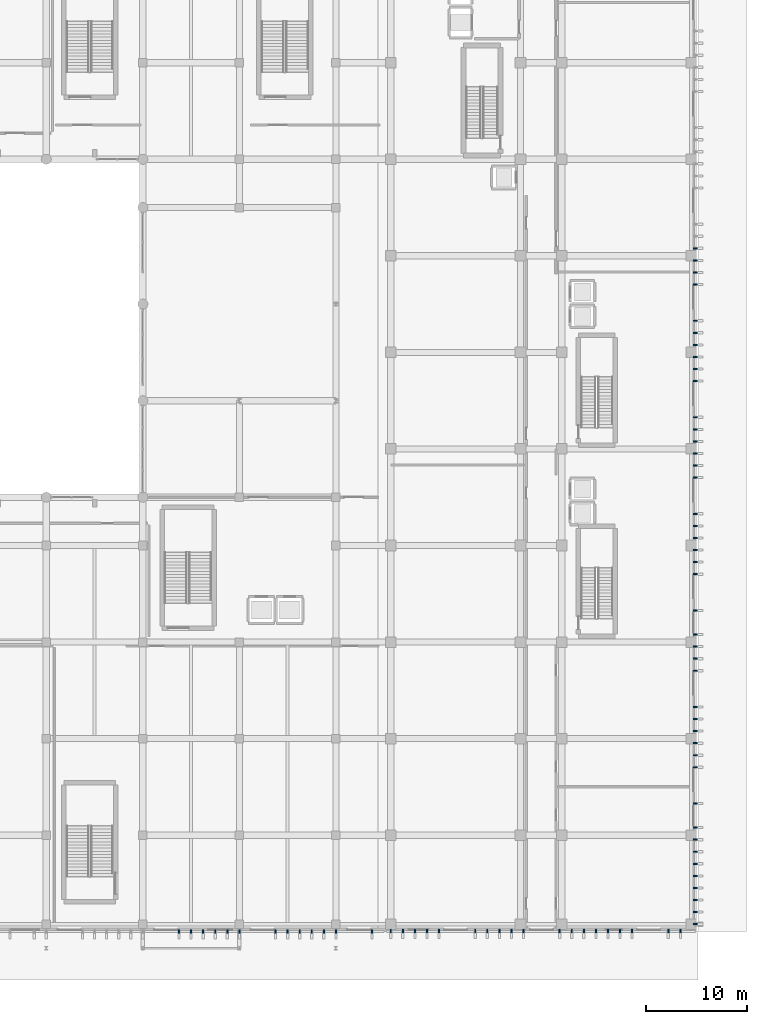
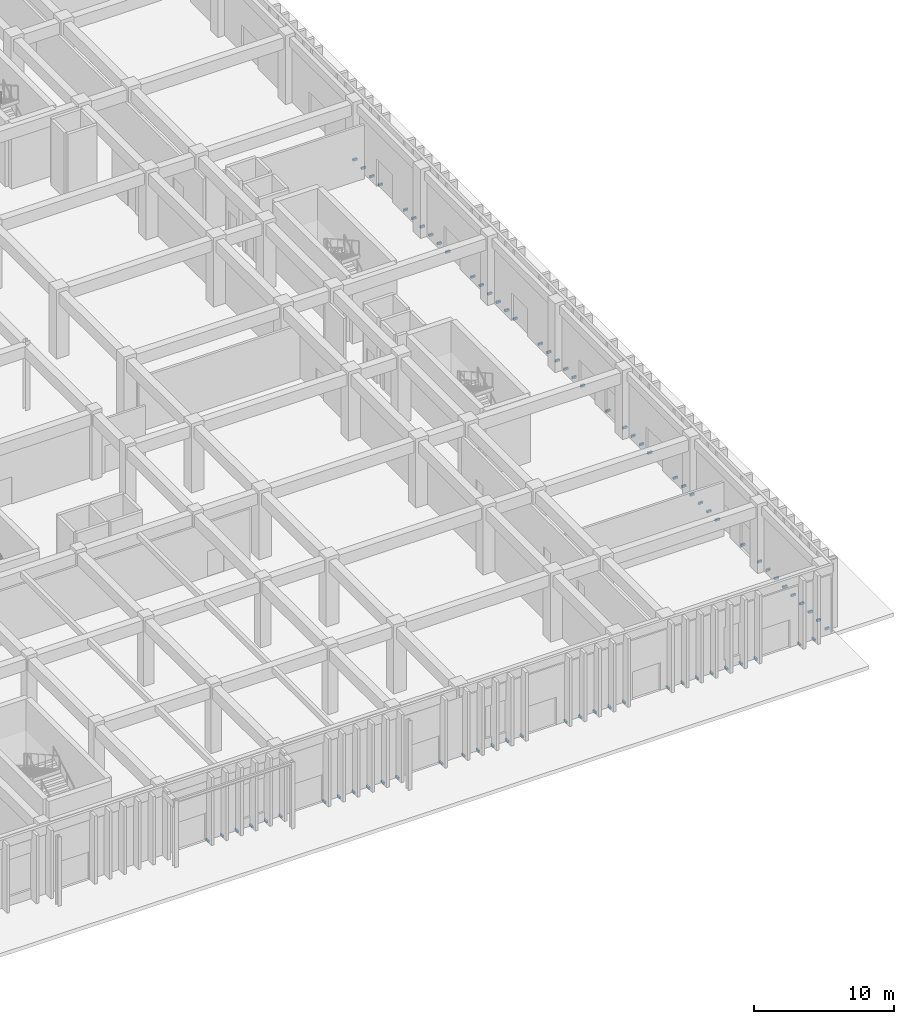
# One storey, part 57 of 87: 75 discrete accessories.
"""IFC4 building model written with IfcOpenShell, lengths in metres."""

from ifc_helpers import new_model, si_unit, direction, frame, origin, origin_2d, place, context, subcontext, project, spatial, rectangle, extrude, material, type_object, element, save


model = new_model("IFC4")

# Units and contexts
model_context = context("Model", 3, precision=1e-05, world=origin(), true_north=direction((0.0, 1.0)))
body_context = subcontext(model_context, "Body", "Model", "MODEL_VIEW")
ifc_project = project(units=[si_unit("LENGTHUNIT", "METRE"), si_unit("AREAUNIT", "SQUARE_METRE"), si_unit("VOLUMEUNIT", "CUBIC_METRE"), si_unit("PLANEANGLEUNIT", "RADIAN"), si_unit("MASSUNIT", "GRAM", prefix="KILO")], contexts=[model_context])

# Site, building, storey
site_placement = place(None, origin())
site = spatial("IfcSite", under=ifc_project, at=site_placement, CompositionType="ELEMENT")
building_placement = place(site_placement, origin())
building = spatial("IfcBuilding", under=site, at=building_placement, Name="Nakhvara Creek Congress Hotel", CompositionType="ELEMENT")
storey_placement = place(building_placement, origin())
storey = spatial("IfcBuildingStorey", under=building, at=storey_placement, Name="L00", CompositionType="ELEMENT", Elevation=0.0)

# Discrete accessories
ifc_material = material(Name="Brushed stainless steel 316L", Category="steel")
discrete_accessory_type = type_object("IfcDiscreteAccessoryType", Name="ACC-BRK-SS316", PredefinedType="BRACKET", material=ifc_material)
for number, where, z_axis, x_axis, name in (
    (1, (128.39990234375, 0.02001953125, -0.10986328125), (0.0, 0.0, 1.0), (1.0, 0.0, 0.0), "Stainless Fin Bracket BK01-0084"),
    (2, (129.60009765625, 0.02001953125, -0.10986328125), (0.0, 0.0, 1.0), (1.0, 0.0, 0.0), "Stainless Fin Bracket BK01-0085"),
    (3, (130.800048828125, 0.02001953125, -0.10986328125), (0.0, 0.0, 1.0), (1.0, 0.0, 0.0), "Stainless Fin Bracket BK01-0086"),
    (4, (132.0, 0.02001953125, -0.10986328125), (0.0, 0.0, 1.0), (1.0, 0.0, 0.0), "Stainless Fin Bracket BK01-0087"),
    (5, (133.199951171875, 0.02001953125, -0.10986328125), (0.0, 0.0, 1.0), (1.0, 0.0, 0.0), "Stainless Fin Bracket BK01-0088"),
    (6, (134.39990234375, 0.02001953125, -0.10986328125), (0.0, 0.0, 1.0), (1.0, 0.0, 0.0), "Stainless Fin Bracket BK01-0089"),
    (7, (138.0, 0.02001953125, -0.10986328125), (0.0, 0.0, 1.0), (1.0, 0.0, 0.0), "Stainless Fin Bracket BK01-0090"),
    (8, (139.199951171875, 0.02001953125, -0.10986328125), (0.0, 0.0, 1.0), (1.0, 0.0, 0.0), "Stainless Fin Bracket BK01-0091"),
    (9, (140.39990234375, 0.02001953125, -0.10986328125), (0.0, 0.0, 1.0), (1.0, 0.0, 0.0), "Stainless Fin Bracket BK01-0092"),
    (10, (141.60009765625, 0.02001953125, -0.10986328125), (0.0, 0.0, 1.0), (1.0, 0.0, 0.0), "Stainless Fin Bracket BK01-0093"),
    (11, (142.800048828125, 0.02001953125, -0.10986328125), (0.0, 0.0, 1.0), (1.0, 0.0, 0.0), "Stainless Fin Bracket BK01-0094"),
    (12, (144.0, 0.02001953125, -0.10986328125), (0.0, 0.0, 1.0), (1.0, 0.0, 0.0), "Stainless Fin Bracket BK01-0095"),
    (13, (147.60009765625, 0.02001953125, -0.10986328125), (0.0, 0.0, 1.0), (1.0, 0.0, 0.0), "Stainless Fin Bracket BK01-0096"),
    (14, (179.72998046875, 0.75, -0.10986328125), (0.0, 0.0, 1.0), (0.0, 1.0, 0.0), "Stainless Fin Bracket BK01-0398"),
    (15, (179.72998046875, 1.949951171875, -0.10986328125), (0.0, 0.0, 1.0), (0.0, 1.0, 0.0), "Stainless Fin Bracket BK01-0399"),
    (16, (179.72998046875, 3.14990234375, -0.10986328125), (0.0, 0.0, 1.0), (0.0, 1.0, 0.0), "Stainless Fin Bracket BK01-0400"),
    (17, (179.72998046875, 4.35009765625, -0.10986328125), (0.0, 0.0, 1.0), (0.0, 1.0, 0.0), "Stainless Fin Bracket BK01-0401"),
    (18, (179.72998046875, 5.550048828125, -0.10986328125), (0.0, 0.0, 1.0), (0.0, 1.0, 0.0), "Stainless Fin Bracket BK01-0402"),
    (19, (179.72998046875, 6.75, -0.10986328125), (0.0, 0.0, 1.0), (0.0, 1.0, 0.0), "Stainless Fin Bracket BK01-0403"),
    (20, (179.72998046875, 7.949951171875, -0.10986328125), (0.0, 0.0, 1.0), (0.0, 1.0, 0.0), "Stainless Fin Bracket BK01-0404"),
    (21, (179.72998046875, 9.14990234375, -0.10986328125), (0.0, 0.0, 1.0), (0.0, 1.0, 0.0), "Stainless Fin Bracket BK01-0405"),
    (22, (179.72998046875, 10.35009765625, -0.10986328125), (0.0, 0.0, 1.0), (0.0, 1.0, 0.0), "Stainless Fin Bracket BK01-0406"),
    (23, (179.72998046875, 12.75, -0.10986328125), (0.0, 0.0, 1.0), (0.0, 1.0, 0.0), "Stainless Fin Bracket BK01-0407"),
    (24, (179.72998046875, 16.35009765625, -0.10986328125), (0.0, 0.0, 1.0), (0.0, 1.0, 0.0), "Stainless Fin Bracket BK01-0408"),
    (25, (179.72998046875, 17.550048828125, -0.10986328125), (0.0, 0.0, 1.0), (0.0, 1.0, 0.0), "Stainless Fin Bracket BK01-0409"),
    (26, (179.72998046875, 18.75, -0.10986328125), (0.0, 0.0, 1.0), (0.0, 1.0, 0.0), "Stainless Fin Bracket BK01-0410"),
    (27, (179.72998046875, 19.949951171875, -0.10986328125), (0.0, 0.0, 1.0), (0.0, 1.0, 0.0), "Stainless Fin Bracket BK01-0411"),
    (28, (179.72998046875, 21.14990234375, -0.10986328125), (0.0, 0.0, 1.0), (0.0, 1.0, 0.0), "Stainless Fin Bracket BK01-0412"),
    (29, (179.72998046875, 22.35009765625, -0.10986328125), (0.0, 0.0, 1.0), (0.0, 1.0, 0.0), "Stainless Fin Bracket BK01-0413"),
    (30, (179.72998046875, 25.949951171875, -0.10986328125), (0.0, 0.0, 1.0), (0.0, 1.0, 0.0), "Stainless Fin Bracket BK01-0414"),
    (31, (179.72998046875, 27.14990234375, -0.10986328125), (0.0, 0.0, 1.0), (0.0, 1.0, 0.0), "Stainless Fin Bracket BK01-0415"),
    (32, (179.72998046875, 28.35009765625, -0.10986328125), (0.0, 0.0, 1.0), (0.0, 1.0, 0.0), "Stainless Fin Bracket BK01-0416"),
    (33, (179.72998046875, 29.550048828125, -0.10986328125), (0.0, 0.0, 1.0), (0.0, 1.0, 0.0), "Stainless Fin Bracket BK01-0417"),
    (34, (179.72998046875, 31.949951171875, -0.10986328125), (0.0, 0.0, 1.0), (0.0, 1.0, 0.0), "Stainless Fin Bracket BK01-0418"),
    (35, (179.72998046875, 35.550048828125, -0.10986328125), (0.0, 0.0, 1.0), (0.0, 1.0, 0.0), "Stainless Fin Bracket BK01-0419"),
    (36, (179.72998046875, 36.75, -0.10986328125), (0.0, 0.0, 1.0), (0.0, 1.0, 0.0), "Stainless Fin Bracket BK01-0420"),
    (37, (179.72998046875, 37.949951171875, -0.10986328125), (0.0, 0.0, 1.0), (0.0, 1.0, 0.0), "Stainless Fin Bracket BK01-0421"),
    (38, (179.72998046875, 39.14990234375, -0.10986328125), (0.0, 0.0, 1.0), (0.0, 1.0, 0.0), "Stainless Fin Bracket BK01-0422"),
    (39, (179.72998046875, 40.35009765625, -0.10986328125), (0.0, 0.0, 1.0), (0.0, 1.0, 0.0), "Stainless Fin Bracket BK01-0423"),
    (40, (179.72998046875, 41.550048828125, -0.10986328125), (0.0, 0.0, 1.0), (0.0, 1.0, 0.0), "Stainless Fin Bracket BK01-0424"),
    (41, (179.72998046875, 45.14990234375, -0.10986328125), (0.0, 0.0, 1.0), (0.0, 1.0, 0.0), "Stainless Fin Bracket BK01-0425"),
    (42, (179.72998046875, 46.35009765625, -0.10986328125), (0.0, 0.0, 1.0), (0.0, 1.0, 0.0), "Stainless Fin Bracket BK01-0426"),
    (43, (179.72998046875, 47.550048828125, -0.10986328125), (0.0, 0.0, 1.0), (0.0, 1.0, 0.0), "Stainless Fin Bracket BK01-0427"),
    (44, (179.72998046875, 48.75, -0.10986328125), (0.0, 0.0, 1.0), (0.0, 1.0, 0.0), "Stainless Fin Bracket BK01-0428"),
    (45, (179.72998046875, 49.949951171875, -0.10986328125), (0.0, 0.0, 1.0), (0.0, 1.0, 0.0), "Stainless Fin Bracket BK01-0429"),
    (46, (179.72998046875, 51.14990234375, -0.10986328125), (0.0, 0.0, 1.0), (0.0, 1.0, 0.0), "Stainless Fin Bracket BK01-0430"),
    (47, (179.72998046875, 54.75, -0.10986328125), (0.0, 0.0, 1.0), (0.0, 1.0, 0.0), "Stainless Fin Bracket BK01-0431"),
    (48, (179.72998046875, 55.949951171875, -0.10986328125), (0.0, 0.0, 1.0), (0.0, 1.0, 0.0), "Stainless Fin Bracket BK01-0432"),
    (49, (179.72998046875, 57.14990234375, -0.10986328125), (0.0, 0.0, 1.0), (0.0, 1.0, 0.0), "Stainless Fin Bracket BK01-0433"),
    (50, (179.72998046875, 58.35009765625, -0.10986328125), (0.0, 0.0, 1.0), (0.0, 1.0, 0.0), "Stainless Fin Bracket BK01-0434"),
    (51, (179.72998046875, 59.550048828125, -0.10986328125), (0.0, 0.0, 1.0), (0.0, 1.0, 0.0), "Stainless Fin Bracket BK01-0435"),
    (52, (179.72998046875, 60.75, -0.10986328125), (0.0, 0.0, 1.0), (0.0, 1.0, 0.0), "Stainless Fin Bracket BK01-0436"),
    (53, (179.72998046875, 64.35009765625, -0.10986328125), (0.0, 0.0, 1.0), (0.0, 1.0, 0.0), "Stainless Fin Bracket BK01-0437"),
    (54, (179.72998046875, 65.550048828125, -0.10986328125), (0.0, 0.0, 1.0), (0.0, 1.0, 0.0), "Stainless Fin Bracket BK01-0438"),
    (55, (179.72998046875, 66.75, -0.10986328125), (0.0, 0.0, 1.0), (0.0, 1.0, 0.0), "Stainless Fin Bracket BK01-0439"),
    (56, (179.72998046875, 67.949951171875, -0.10986328125), (0.0, 0.0, 1.0), (0.0, 1.0, 0.0), "Stainless Fin Bracket BK01-0440"),
    (57, (149.449951171875, 0.06005859375, -0.10986328125), (0.0, 0.0, 1.0), (1.0, 0.0, 0.0), "Stainless Fin Bracket BK01-0500"),
    (58, (150.64990234375, 0.06005859375, -0.10986328125), (0.0, 0.0, 1.0), (1.0, 0.0, 0.0), "Stainless Fin Bracket BK01-0502"),
    (59, (151.85009765625, 0.06005859375, -0.10986328125), (0.0, 0.0, 1.0), (1.0, 0.0, 0.0), "Stainless Fin Bracket BK01-0504"),
    (60, (153.050048828125, 0.06005859375, -0.10986328125), (0.0, 0.0, 1.0), (1.0, 0.0, 0.0), "Stainless Fin Bracket BK01-0506"),
    (61, (154.25, 0.06005859375, -0.10986328125), (0.0, 0.0, 1.0), (1.0, 0.0, 0.0), "Stainless Fin Bracket BK01-0507"),
    (62, (157.85009765625, 0.06005859375, -0.10986328125), (0.0, 0.0, 1.0), (1.0, 0.0, 0.0), "Stainless Fin Bracket BK01-0511"),
    (63, (159.050048828125, 0.06005859375, -0.10986328125), (0.0, 0.0, 1.0), (1.0, 0.0, 0.0), "Stainless Fin Bracket BK01-0513"),
    (64, (160.25, 0.06005859375, -0.10986328125), (0.0, 0.0, 1.0), (1.0, 0.0, 0.0), "Stainless Fin Bracket BK01-0515"),
    (65, (161.449951171875, 0.06005859375, -0.10986328125), (0.0, 0.0, 1.0), (1.0, 0.0, 0.0), "Stainless Fin Bracket BK01-0517"),
    (66, (162.64990234375, 0.06005859375, -0.10986328125), (0.0, 0.0, 1.0), (1.0, 0.0, 0.0), "Stainless Fin Bracket BK01-0519"),
    (67, (166.25, 0.06005859375, -0.10986328125), (0.0, 0.0, 1.0), (1.0, 0.0, 0.0), "Stainless Fin Bracket BK01-0523"),
    (68, (167.449951171875, 0.06005859375, -0.10986328125), (0.0, 0.0, 1.0), (1.0, 0.0, 0.0), "Stainless Fin Bracket BK01-0525"),
    (69, (168.64990234375, 0.06005859375, -0.10986328125), (0.0, 0.0, 1.0), (1.0, 0.0, 0.0), "Stainless Fin Bracket BK01-0527"),
    (70, (169.85009765625, 0.06005859375, -0.10986328125), (0.0, 0.0, 1.0), (1.0, 0.0, 0.0), "Stainless Fin Bracket BK01-0529"),
    (71, (171.050048828125, 0.06005859375, -0.10986328125), (0.0, 0.0, 1.0), (1.0, 0.0, 0.0), "Stainless Fin Bracket BK01-0531"),
    (72, (172.25, 0.06005859375, -0.10986328125), (0.0, 0.0, 1.0), (1.0, 0.0, 0.0), "Stainless Fin Bracket BK01-0533"),
    (73, (173.449951171875, 0.06005859375, -0.10986328125), (0.0, 0.0, 1.0), (1.0, 0.0, 0.0), "Stainless Fin Bracket BK01-0535"),
    (74, (177.050048828125, 0.06005859375, -0.10986328125), (0.0, 0.0, 1.0), (1.0, 0.0, 0.0), "Stainless Fin Bracket BK01-0539"),
    (75, (178.25, 0.06005859375, -0.10986328125), (0.0, 0.0, 1.0), (1.0, 0.0, 0.0), "Stainless Fin Bracket BK01-0541"),
):
    element("IfcDiscreteAccessory", number, at=place(storey_placement, frame(where, z_axis=z_axis, x_axis=x_axis)), inside=storey, type_object=discrete_accessory_type, Name=name, PredefinedType="BRACKET", context=body_context, shape_type="SweptSolid", body=[
        extrude(rectangle(XDim=0.139892578125, YDim=0.360107421875, at=origin_2d()), origin(), (0.0, 0.0, 1.0), 0.179931640625),
    ])

save(model, "model.ifc")
